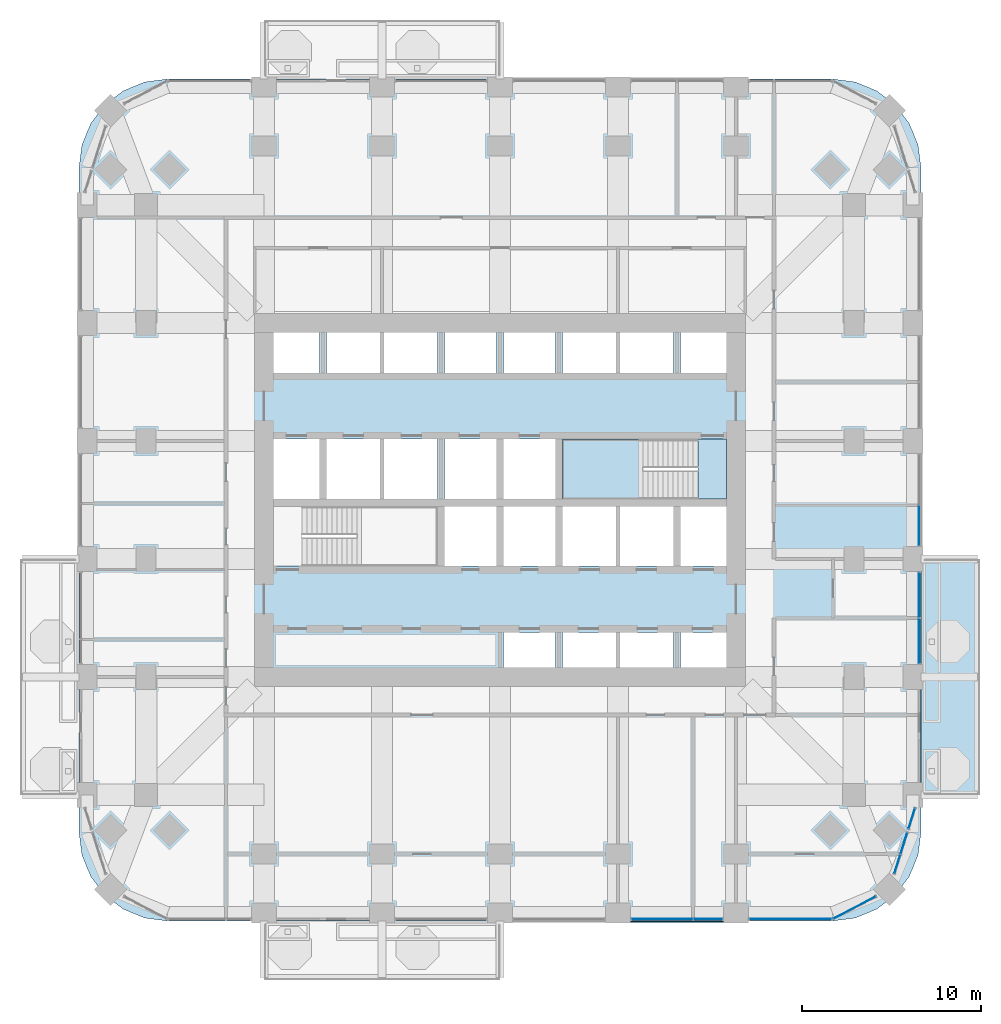
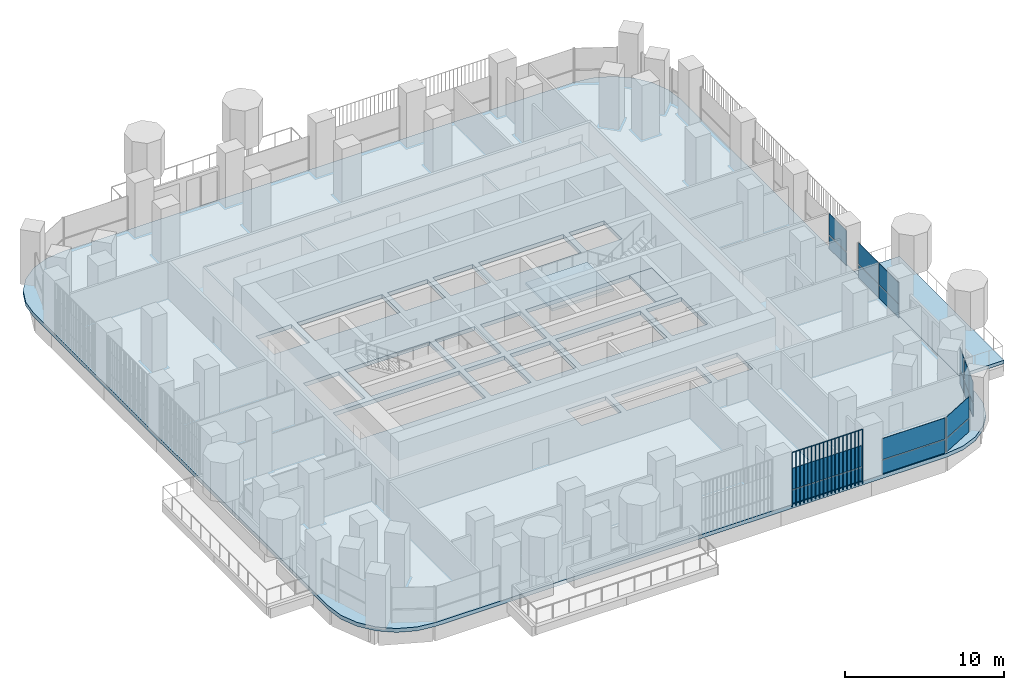
# One storey, part 9 of 21: 21 plates, 4 slabs, 8 elements without a shape of their own.
"""IFC4 building model written with IfcOpenShell, lengths in metres."""

import ifcopenshell
import ifcopenshell.guid

model = None  # the IFC model being written
_history = None  # IfcOwnerHistory: only IFC2X3 demands one
_inside = {}  # id of a spatial element -> (the spatial element, [elements in it])
_under = {}  # id of a project, library or spatial element -> (it, [spatial elements below it])
_declared = {}  # id of a project -> (the project, [libraries it declares])
_typed = {}  # id of a type object -> (the type object, [elements of that type])
_made_of = {}  # id of a material, layer set ... -> (it, [elements and type objects made of it])


def new_model(schema):
    """Start an empty IFC model of exactly this schema.

    Asked for "IFC4X3", IfcOpenShell would pick the latest addendum, in which some entities
    have other attributes; the version numbers below select the first issue.
    IFC2X3 requires an IfcOwnerHistory on every rooted entity: one is made here for all.
    """
    global model, _history
    if schema == "IFC4X3":
        model = ifcopenshell.file(schema_version=(4, 3, 0, 0))
    else:
        model = ifcopenshell.file(schema=schema)
    _inside.clear()
    _under.clear()
    _declared.clear()
    _typed.clear()
    _made_of.clear()
    _history = None
    if model.schema == "IFC2X3":
        org = make("IfcOrganization", Name="unknown")
        user = make(
            "IfcPersonAndOrganization",
            ThePerson=make("IfcPerson", FamilyName="unknown"),
            TheOrganization=org,
        )
        app = make(
            "IfcApplication",
            ApplicationDeveloper=org,
            Version="unknown",
            ApplicationFullName="unknown",
            ApplicationIdentifier="unknown",
        )
        _history = make(
            "IfcOwnerHistory",
            OwningUser=user,
            OwningApplication=app,
            ChangeAction="ADDED",
            CreationDate=0,
        )
    return model


def make(cls, **values):
    """One entity of the class cls with the attributes given. An attribute that is None is left unset."""
    return model.create_entity(
        cls, **{name: value for name, value in values.items() if value is not None}
    )


def rooted(cls, **values):
    """An entity with a GlobalId (a new one), such as an element, a storey or a relation."""
    return make(cls, GlobalId=ifcopenshell.guid.new(), OwnerHistory=_history, **values)


def si_unit(unit_type, name, prefix=None):
    """IfcSIUnit, for example si_unit("LENGTHUNIT", "METRE", prefix="MILLI")."""
    return make("IfcSIUnit", UnitType=unit_type, Prefix=prefix, Name=name)


def assignment(units):
    """IfcUnitAssignment: the units of a project."""
    return None if units is None else make("IfcUnitAssignment", Units=units)


def point(xyz):
    """IfcCartesianPoint."""
    return None if xyz is None else make("IfcCartesianPoint", Coordinates=xyz)


def direction(xyz):
    """IfcDirection."""
    return None if xyz is None else make("IfcDirection", DirectionRatios=xyz)


def frame(location, z_axis=None, x_axis=None):
    """IfcAxis2Placement3D, a coordinate frame: its origin and axes. An axis left out is left unset."""
    return make(
        "IfcAxis2Placement3D",
        Location=point(location),
        Axis=direction(z_axis),
        RefDirection=direction(x_axis),
    )


def frame_2d(location, x_axis=None):
    """IfcAxis2Placement2D, a coordinate frame in the plane: its origin and x axis."""
    return make(
        "IfcAxis2Placement2D", Location=point(location), RefDirection=direction(x_axis)
    )


def origin():
    """The frame at (0, 0, 0) with its axes left unset."""
    return frame((0.0, 0.0, 0.0))


def origin_2d():
    """The frame at (0, 0) in the plane with its x axis left unset."""
    return frame_2d((0.0, 0.0))


def place(relative_to, where):
    """IfcLocalPlacement: puts the frame where relative to a parent placement (None: the world)."""
    return make(
        "IfcLocalPlacement", PlacementRelTo=relative_to, RelativePlacement=where
    )


def context(
    kind, dimensions, precision=None, world=None, true_north=None, identifier=None
):
    """IfcGeometricRepresentationContext, for example the 3D "Model" context."""
    return make(
        "IfcGeometricRepresentationContext",
        ContextIdentifier=identifier,
        ContextType=kind,
        CoordinateSpaceDimension=dimensions,
        Precision=precision,
        WorldCoordinateSystem=world,
        TrueNorth=true_north,
    )


def subcontext(parent, identifier, kind, view, scale=None):
    """IfcGeometricRepresentationSubContext, for example "Body" below "Model"."""
    return make(
        "IfcGeometricRepresentationSubContext",
        ContextIdentifier=identifier,
        ContextType=kind,
        ParentContext=parent,
        TargetScale=scale,
        TargetView=view,
    )


def project(units=None, contexts=None):
    """IfcProject with its units and contexts."""
    return rooted(
        "IfcProject",
        Name="project",
        RepresentationContexts=contexts,
        UnitsInContext=assignment(units),
    )


def spatial(cls, under=None, at=None, **own):
    """A site, building, storey or space (cls), placed at a placement, below another one or the project."""
    s = rooted(cls, ObjectPlacement=at, **own)
    if under is not None:
        _under.setdefault(under.id(), (under, []))[1].append(s)
    return s


def polyline(points):
    """IfcPolyline through the points."""
    return make("IfcPolyline", Points=[point(p) for p in points])


def profile(cls, at=None, kind="AREA", **sizes):
    """A parametric profile (cls). Its sizes go by their IFC names, for example OverallWidth=200.0."""
    return make(cls, ProfileType=kind, Position=at, **sizes)


def rectangle(**sizes):
    """IfcRectangleProfileDef."""
    return profile("IfcRectangleProfileDef", **sizes)


def outline(outer, holes=None, kind="AREA"):
    """IfcArbitraryClosedProfileDef: a profile drawn as a closed curve; with holes, ...WithVoids."""
    if holes is None:
        return make("IfcArbitraryClosedProfileDef", ProfileType=kind, OuterCurve=outer)
    return make(
        "IfcArbitraryProfileDefWithVoids",
        ProfileType=kind,
        OuterCurve=outer,
        InnerCurves=holes,
    )


def extrude(swept, where, along, depth):
    """IfcExtrudedAreaSolid: the profile swept, set in the frame where, extruded along a direction by depth."""
    return make(
        "IfcExtrudedAreaSolid",
        SweptArea=swept,
        Position=where,
        ExtrudedDirection=direction(along),
        Depth=depth,
    )


def shape(context_of_items, identifier, shape_type, items):
    """IfcShapeRepresentation: the items that make up one representation, for example the "Body"."""
    return make(
        "IfcShapeRepresentation",
        ContextOfItems=context_of_items,
        RepresentationIdentifier=identifier,
        RepresentationType=shape_type,
        Items=items,
    )


def material(Name=None, Category=None):
    """IfcMaterial."""
    return make("IfcMaterial", Name=Name, Category=Category)


def layer(
    of_material, thickness, ventilated=None, Name=None, Category=None, Priority=None
):
    """IfcMaterialLayer: one layer of a wall or slab, of a material (None: an air gap)."""
    return make(
        "IfcMaterialLayer",
        Material=of_material,
        LayerThickness=thickness,
        IsVentilated=ventilated,
        Name=Name,
        Category=Category,
        Priority=Priority,
    )


def layer_set(layers, Name=None):
    """IfcMaterialLayerSet."""
    return make("IfcMaterialLayerSet", MaterialLayers=layers, LayerSetName=Name)


def made_of(thing, what):
    """Note that an element or type object is made of a material, layer set ...; save() writes the relation."""
    if what is not None:
        _made_of.setdefault(what.id(), (what, []))[1].append(thing)
    return thing


def type_object(cls, material=None, **own):
    """A type object (cls), such as IfcWallType, which elements share."""
    return made_of(rooted(cls, **own), material)


def element(
    cls,
    number,
    at=None,
    inside=None,
    cuts=None,
    type_object=None,
    material=None,
    context=None,
    identifier="Body",
    shape_type=None,
    held_by="IfcProductDefinitionShape",
    body=None,
    shapes=None,
    **own,
):
    """One element of the class cls, such as IfcWall. Its Tag is "e" and its number.

    at: its placement. inside: the storey or other place that contains it. cuts: it is an
    opening in that element (IfcRelVoidsElement). A single representation is given by context,
    identifier, shape_type and body (its items); several are given by shapes. held_by: the class
    of the entity that holds the representations. save() writes the other relations.
    """
    e = rooted(cls, Tag="e%d" % number, ObjectPlacement=at, **own)
    if body is not None:
        shapes = [shape(context, identifier, shape_type, body)]
    if shapes is not None:
        e.Representation = make(held_by, Representations=shapes)
    if inside is not None:
        _inside.setdefault(inside.id(), (inside, []))[1].append(e)
    if cuts is not None:
        rooted(
            "IfcRelVoidsElement", RelatingBuildingElement=cuts, RelatedOpeningElement=e
        )
    if type_object is not None:
        _typed.setdefault(type_object.id(), (type_object, []))[1].append(e)
    return made_of(e, material)


def aggregate(whole, parts):
    """IfcRelAggregates: a whole, such as a stair, and the parts it consists of."""
    return rooted("IfcRelAggregates", RelatingObject=whole, RelatedObjects=parts)


def save(model, path):
    """Write the relations noted so far, then the file.

    IfcRelAggregates (storeys below a building ...), IfcRelContainedInSpatialStructure (elements
    in a storey), IfcRelDefinesByType, IfcRelAssociatesMaterial and IfcRelDeclares: one each for
    every whole, place, type object, material and project.
    """
    for whole, parts in _under.values():
        aggregate(whole, parts)
    for where, things in _inside.values():
        rooted(
            "IfcRelContainedInSpatialStructure",
            RelatedElements=things,
            RelatingStructure=where,
        )
    for kind, things in _typed.values():
        rooted("IfcRelDefinesByType", RelatedObjects=things, RelatingType=kind)
    for what, things in _made_of.values():
        rooted("IfcRelAssociatesMaterial", RelatedObjects=things, RelatingMaterial=what)
    for by, libraries in _declared.values():
        rooted("IfcRelDeclares", RelatingContext=by, RelatedDefinitions=libraries)
    model.write(path)


model = new_model("IFC4")

# Units and contexts
model_context = context("Model", 3, precision=1e-05, world=origin(), true_north=direction((0.0, 1.0)))
body_context = subcontext(model_context, "Body", "Model", "MODEL_VIEW")
ifc_project = project(units=[si_unit("LENGTHUNIT", "METRE"), si_unit("AREAUNIT", "SQUARE_METRE"), si_unit("VOLUMEUNIT", "CUBIC_METRE"), si_unit("PLANEANGLEUNIT", "RADIAN"), si_unit("MASSUNIT", "GRAM", prefix="KILO")], contexts=[model_context])

# Site, building, storey
site_placement = place(None, origin())
site = spatial("IfcSite", under=ifc_project, at=site_placement, CompositionType="ELEMENT")
building_placement = place(site_placement, origin())
building = spatial("IfcBuilding", under=site, at=building_placement, Name="Cobogo Forest Laboratory Tower", CompositionType="ELEMENT")
storey_placement = place(building_placement, frame((0.0, 0.0, 124.199951171875)))
storey = spatial("IfcBuildingStorey", under=building, at=storey_placement, Name="L28", CompositionType="ELEMENT", Elevation=124.199951171875)

# Slabs
ifc_material_1 = material(Name="Concrete HA-40 (C40/50)", Category="concrete")
ifc_layer_1 = layer(ifc_material_1, 0.25)
ifc_layer_set_1 = layer_set([ifc_layer_1], Name="Balcony slab 250")
slab_type_1 = type_object("IfcSlabType", Name="Balcony slab 250", PredefinedType="FLOOR", material=ifc_layer_set_1)
slab_1_placement = place(storey_placement, frame((0.0, 0.0, -0.25)))
element("IfcSlab", 1, at=slab_1_placement, inside=storey, type_object=slab_type_1, Name="Balcony BAL-E1 L28", PredefinedType="FLOOR", context=body_context, shape_type="SweptSolid", body=[
    extrude(outline(polyline([(49.949951171875, 6.60009765625), (53.25, 6.60009765625), (53.25, 19.800048828125), (49.949951171875, 19.800048828125), (49.949951171875, 6.60009765625)])), origin(), (0.0, 0.0, 1.0), 0.25),
])
ifc_layer_2 = layer(ifc_material_1, 0.300048828125)
ifc_layer_set_2 = layer_set([ifc_layer_2], Name="Floor slab 300")
slab_type_2 = type_object("IfcSlabType", Name="Floor slab 300", PredefinedType="FLOOR", material=ifc_layer_set_2)
slab_2_placement = place(storey_placement, frame((0.0, 0.0, -0.300048828125)))
element("IfcSlab", 2, at=slab_2_placement, inside=storey, type_object=slab_type_2, Name="L28 floor slab", PredefinedType="FLOOR", context=body_context, shape_type="SweptSolid", body=[
    extrude(outline(polyline([(45.0, -0.449951171875), (46.28125, -0.28125), (47.47509765625, 0.213134765625), (48.500244140625, 0.999755859375), (49.286865234375, 2.02490234375), (49.78125, 3.21875), (49.949951171875, 4.5), (49.949951171875, 41.699951171875), (49.78125, 42.981201171875), (49.286865234375, 44.175048828125), (48.500244140625, 45.2001953125), (47.47509765625, 45.98681640625), (46.28125, 46.4814453125), (45.0, 46.64990234375), (7.800048828125, 46.64990234375), (6.518798828125, 46.4814453125), (5.324951171875, 45.98681640625), (4.2998046875, 45.2001953125), (3.51318359375, 44.175048828125), (3.0185546875, 42.981201171875), (2.85009765625, 41.699951171875), (2.85009765625, 4.5), (3.0185546875, 3.21875), (3.51318359375, 2.02490234375), (4.2998046875, 0.999755859375), (5.324951171875, 0.213134765625), (6.518798828125, -0.28125), (7.800048828125, -0.449951171875), (45.0, -0.449951171875)]), holes=[polyline([(29.5, 13.72509765625), (26.60009765625, 13.72509765625), (26.60009765625, 15.699951171875), (29.5, 15.699951171875), (29.5, 13.72509765625)]), polyline([(36.10009765625, 15.699951171875), (36.10009765625, 13.72509765625), (29.89990234375, 13.72509765625), (29.89990234375, 15.699951171875), (36.10009765625, 15.699951171875)]), polyline([(36.5, 13.72509765625), (36.5, 15.699951171875), (39.074951171875, 15.699951171875), (39.074951171875, 13.72509765625), (36.5, 13.72509765625)]), polyline([(13.72509765625, 19.39990234375), (13.72509765625, 22.75), (22.89990234375, 22.75), (22.89990234375, 19.39990234375), (13.72509765625, 19.39990234375)]), polyline([(23.300048828125, 19.39990234375), (23.300048828125, 22.75), (26.199951171875, 22.75), (26.199951171875, 19.39990234375), (23.300048828125, 19.39990234375)]), polyline([(29.5, 19.39990234375), (26.60009765625, 19.39990234375), (26.60009765625, 22.75), (29.5, 22.75), (29.5, 19.39990234375)]), polyline([(36.10009765625, 22.75), (36.10009765625, 19.39990234375), (29.89990234375, 19.39990234375), (29.89990234375, 22.75), (36.10009765625, 22.75)]), polyline([(39.074951171875, 19.39990234375), (36.5, 19.39990234375), (36.5, 22.75), (39.074951171875, 22.75), (39.074951171875, 19.39990234375)]), polyline([(16.300048828125, 23.14990234375), (13.72509765625, 23.14990234375), (13.72509765625, 26.5), (16.300048828125, 26.5), (16.300048828125, 23.14990234375)]), polyline([(22.89990234375, 26.5), (22.89990234375, 23.14990234375), (16.699951171875, 23.14990234375), (16.699951171875, 26.5), (22.89990234375, 26.5)]), polyline([(26.199951171875, 23.14990234375), (23.300048828125, 23.14990234375), (23.300048828125, 26.5), (26.199951171875, 26.5), (26.199951171875, 23.14990234375)]), polyline([(26.60009765625, 23.14990234375), (26.60009765625, 26.5), (29.5, 26.5), (29.5, 23.14990234375), (26.60009765625, 23.14990234375)]), polyline([(29.89990234375, 23.14990234375), (29.89990234375, 26.5), (39.074951171875, 26.5), (39.074951171875, 23.14990234375), (29.89990234375, 23.14990234375)]), polyline([(13.72509765625, 30.199951171875), (13.72509765625, 32.47509765625), (16.300048828125, 32.47509765625), (16.300048828125, 30.199951171875), (13.72509765625, 30.199951171875)]), polyline([(22.89990234375, 32.47509765625), (22.89990234375, 30.199951171875), (16.699951171875, 30.199951171875), (16.699951171875, 32.47509765625), (22.89990234375, 32.47509765625)]), polyline([(23.300048828125, 30.199951171875), (23.300048828125, 32.47509765625), (26.199951171875, 32.47509765625), (26.199951171875, 30.199951171875), (23.300048828125, 30.199951171875)]), polyline([(26.60009765625, 30.199951171875), (26.60009765625, 32.47509765625), (29.5, 32.47509765625), (29.5, 30.199951171875), (26.60009765625, 30.199951171875)]), polyline([(36.10009765625, 32.47509765625), (36.10009765625, 30.199951171875), (29.89990234375, 30.199951171875), (29.89990234375, 32.47509765625), (36.10009765625, 32.47509765625)]), polyline([(36.5, 30.199951171875), (36.5, 32.47509765625), (39.074951171875, 32.47509765625), (39.074951171875, 30.199951171875), (36.5, 30.199951171875)])]), origin(), (0.0, 0.0, 1.0), 0.300048828125),
])

# Curtain wall, plates
ifc_material_2 = material(Name="Aluminium curtain wall", Category="aluminium")
curtain_wall_type = type_object("IfcCurtainWallType", Name="CW-1 unitised curtain wall, clear glazing, laboratory floors zones A and B", PredefinedType="USERDEFINED", material=ifc_material_2)
curtain_wall_1_placement = place(storey_placement, origin())
curtain_wall_1 = element("IfcCurtainWall", 3, at=curtain_wall_1_placement, inside=storey, type_object=curtain_wall_type, Name="Curtain wall 05 L28", ObjectType="UNITISED CURTAIN WALL", PredefinedType="USERDEFINED")
ifc_material_3 = material(Name="Clear insulated glass", Category="glass")
ifc_layer_3 = layer(ifc_material_3, 0.028076171875)
ifc_layer_set_3 = layer_set([ifc_layer_3], Name="GP-1 clear insulated glass unit 28")
plate_type_1 = type_object("IfcPlateType", Name="GP-1 clear insulated glass unit 28", PredefinedType="CURTAIN_PANEL", material=ifc_layer_set_3)
plate_1_placement = place(storey_placement, frame((35.465087890625, -0.35009765625, 0.0), z_axis=(0.0, 0.0, 1.0), x_axis=(1.0, 0.0, 0.0)))
plate_1 = element("IfcPlate", 4, at=plate_1_placement, type_object=plate_type_1, Name="CW-1 panel 1.1", PredefinedType="CURTAIN_PANEL", context=body_context, shape_type="SweptSolid", body=[
    extrude(rectangle(XDim=3.409912109375, YDim=0.028076171875, at=origin_2d()), origin(), (0.0, 0.0, 1.0), 1.02001953125),
])
plate_2_placement = place(storey_placement, frame((35.465087890625, -0.35009765625, 1.080078125), z_axis=(0.0, 0.0, 1.0), x_axis=(1.0, 0.0, 0.0)))
plate_2 = element("IfcPlate", 5, at=plate_2_placement, type_object=plate_type_1, Name="CW-1 panel 1.2", PredefinedType="CURTAIN_PANEL", context=body_context, shape_type="SweptSolid", body=[
    extrude(rectangle(XDim=3.409912109375, YDim=0.028076171875, at=origin_2d()), origin(), (0.0, 0.0, 1.0), 1.6201171875),
])
plate_3_placement = place(storey_placement, frame((38.034912109375, -0.35009765625, 0.0), z_axis=(0.0, 0.0, 1.0), x_axis=(1.0, 0.0, 0.0)))
plate_3 = element("IfcPlate", 6, at=plate_3_placement, type_object=plate_type_1, Name="CW-1 panel 2.1", PredefinedType="CURTAIN_PANEL", context=body_context, shape_type="SweptSolid", body=[
    extrude(rectangle(XDim=1.610107421875, YDim=0.028076171875, at=origin_2d()), origin(), (0.0, 0.0, 1.0), 1.02001953125),
])
plate_4_placement = place(storey_placement, frame((38.034912109375, -0.35009765625, 1.080078125), z_axis=(0.0, 0.0, 1.0), x_axis=(1.0, 0.0, 0.0)))
plate_4 = element("IfcPlate", 7, at=plate_4_placement, type_object=plate_type_1, Name="CW-1 panel 2.2", PredefinedType="CURTAIN_PANEL", context=body_context, shape_type="SweptSolid", body=[
    extrude(rectangle(XDim=1.610107421875, YDim=0.028076171875, at=origin_2d()), origin(), (0.0, 0.0, 1.0), 1.6201171875),
])
aggregate(curtain_wall_1, [plate_1, plate_2, plate_3, plate_4])

curtain_wall_2_placement = place(storey_placement, origin())
curtain_wall_2 = element("IfcCurtainWall", 8, at=curtain_wall_2_placement, inside=storey, type_object=curtain_wall_type, Name="Curtain wall 06 L28", ObjectType="UNITISED CURTAIN WALL", PredefinedType="USERDEFINED")
plate_5_placement = place(storey_placement, frame((42.64990234375, -0.35009765625, 0.0), z_axis=(0.0, 0.0, 1.0), x_axis=(1.0, 0.0, 0.0)))
plate_5 = element("IfcPlate", 9, at=plate_5_placement, type_object=plate_type_1, Name="CW-1 panel 1.1", PredefinedType="CURTAIN_PANEL", context=body_context, shape_type="SweptSolid", body=[
    extrude(rectangle(XDim=4.580078125, YDim=0.028076171875, at=origin_2d()), origin(), (0.0, 0.0, 1.0), 1.02001953125),
])
plate_6_placement = place(storey_placement, frame((42.64990234375, -0.35009765625, 1.080078125), z_axis=(0.0, 0.0, 1.0), x_axis=(1.0, 0.0, 0.0)))
plate_6 = element("IfcPlate", 10, at=plate_6_placement, type_object=plate_type_1, Name="CW-1 panel 1.2", PredefinedType="CURTAIN_PANEL", context=body_context, shape_type="SweptSolid", body=[
    extrude(rectangle(XDim=4.580078125, YDim=0.028076171875, at=origin_2d()), origin(), (0.0, 0.0, 1.0), 1.6201171875),
])
aggregate(curtain_wall_2, [plate_5, plate_6])

curtain_wall_3_placement = place(storey_placement, origin())
curtain_wall_3 = element("IfcCurtainWall", 11, at=curtain_wall_3_placement, inside=storey, type_object=curtain_wall_type, Name="Curtain wall 07 L28", ObjectType="UNITISED CURTAIN WALL", PredefinedType="USERDEFINED")
plate_7_placement = place(storey_placement, frame((46.229248046875, 0.29443359375, 0.0), z_axis=(0.0, 0.0, 1.0), x_axis=(0.885686547075, 0.464283685186, 0.0)))
plate_7 = element("IfcPlate", 12, at=plate_7_placement, type_object=plate_type_1, Name="CW-1 panel 1.1", PredefinedType="CURTAIN_PANEL", context=body_context, shape_type="SweptSolid", body=[
    extrude(rectangle(XDim=2.655517578125, YDim=0.028076171875, at=origin_2d()), origin(), (0.0, 0.0, 1.0), 1.02001953125),
])
plate_8_placement = place(storey_placement, frame((46.229248046875, 0.29443359375, 1.080078125), z_axis=(0.0, 0.0, 1.0), x_axis=(0.885686547075, 0.464283685186, 0.0)))
plate_8 = element("IfcPlate", 13, at=plate_8_placement, type_object=plate_type_1, Name="CW-1 panel 1.2", PredefinedType="CURTAIN_PANEL", context=body_context, shape_type="SweptSolid", body=[
    extrude(rectangle(XDim=2.655517578125, YDim=0.028076171875, at=origin_2d()), origin(), (0.0, 0.0, 1.0), 1.6201171875),
])
aggregate(curtain_wall_3, [plate_7, plate_8])

curtain_wall_4_placement = place(storey_placement, origin())
curtain_wall_4 = element("IfcCurtainWall", 14, at=curtain_wall_4_placement, inside=storey, type_object=curtain_wall_type, Name="Curtain wall 08 L28", ObjectType="UNITISED CURTAIN WALL", PredefinedType="USERDEFINED")
plate_9_placement = place(storey_placement, frame((48.6279296875, 2.73046875, 0.0), z_axis=(0.0, 0.0, 1.0), x_axis=(0.301135291996, 0.953581425949, 0.0)))
plate_9 = element("IfcPlate", 15, at=plate_9_placement, type_object=plate_type_1, Name="CW-1 panel 1.1", PredefinedType="CURTAIN_PANEL", context=body_context, shape_type="SweptSolid", body=[
    extrude(rectangle(XDim=1.083984375, YDim=0.028076171875, at=origin_2d()), origin(), (0.0, 0.0, 1.0), 1.02001953125),
])
plate_10_placement = place(storey_placement, frame((48.6279296875, 2.73046875, 1.080078125), z_axis=(0.0, 0.0, 1.0), x_axis=(0.301135291996, 0.953581425949, 0.0)))
plate_10 = element("IfcPlate", 16, at=plate_10_placement, type_object=plate_type_1, Name="CW-1 panel 1.2", PredefinedType="CURTAIN_PANEL", context=body_context, shape_type="SweptSolid", body=[
    extrude(rectangle(XDim=1.083984375, YDim=0.028076171875, at=origin_2d()), origin(), (0.0, 0.0, 1.0), 1.6201171875),
])
plate_11_placement = place(storey_placement, frame((48.99365234375, 3.88818359375, 0.0), z_axis=(0.0, 0.0, 1.0), x_axis=(0.301135291996, 0.953581425949, 0.0)))
plate_11 = element("IfcPlate", 17, at=plate_11_placement, type_object=plate_type_1, Name="CW-1 panel 2.1", PredefinedType="CURTAIN_PANEL", context=body_context, shape_type="SweptSolid", body=[
    extrude(rectangle(XDim=1.223876953125, YDim=0.028076171875, at=origin_2d()), origin(), (0.0, 0.0, 1.0), 1.02001953125),
])
plate_12_placement = place(storey_placement, frame((48.99365234375, 3.88818359375, 1.080078125), z_axis=(0.0, 0.0, 1.0), x_axis=(0.301135291996, 0.953581425949, 0.0)))
plate_12 = element("IfcPlate", 18, at=plate_12_placement, type_object=plate_type_1, Name="CW-1 panel 2.2", PredefinedType="CURTAIN_PANEL", context=body_context, shape_type="SweptSolid", body=[
    extrude(rectangle(XDim=1.223876953125, YDim=0.028076171875, at=origin_2d()), origin(), (0.0, 0.0, 1.0), 1.6201171875),
])
aggregate(curtain_wall_4, [plate_9, plate_10, plate_11, plate_12])

curtain_wall_5_placement = place(storey_placement, origin())
curtain_wall_5 = element("IfcCurtainWall", 19, at=curtain_wall_5_placement, inside=storey, type_object=curtain_wall_type, Name="Curtain wall 09 L28", ObjectType="UNITISED CURTAIN WALL", PredefinedType="USERDEFINED")
plate_13_placement = place(storey_placement, frame((49.433837890625, 5.2822265625, 0.0), z_axis=(0.0, 0.0, 1.0), x_axis=(0.301135356805, 0.953581405483, 0.0)))
plate_13 = element("IfcPlate", 20, at=plate_13_placement, type_object=plate_type_1, Name="CW-1 panel 1.1", PredefinedType="CURTAIN_PANEL", context=body_context, shape_type="SweptSolid", body=[
    extrude(rectangle(XDim=1.17578125, YDim=0.028076171875, at=origin_2d()), origin(), (0.0, 0.0, 1.0), 1.02001953125),
])
plate_14_placement = place(storey_placement, frame((49.433837890625, 5.2822265625, 1.080078125), z_axis=(0.0, 0.0, 1.0), x_axis=(0.301135356805, 0.953581405483, 0.0)))
plate_14 = element("IfcPlate", 21, at=plate_14_placement, type_object=plate_type_1, Name="CW-1 panel 1.2", PredefinedType="CURTAIN_PANEL", context=body_context, shape_type="SweptSolid", body=[
    extrude(rectangle(XDim=1.17578125, YDim=0.028076171875, at=origin_2d()), origin(), (0.0, 0.0, 1.0), 1.6201171875),
])
aggregate(curtain_wall_5, [plate_13, plate_14])

curtain_wall_6_placement = place(storey_placement, origin())
curtain_wall_6 = element("IfcCurtainWall", 22, at=curtain_wall_6_placement, inside=storey, type_object=curtain_wall_type, Name="Curtain wall 11 L28", ObjectType="UNITISED CURTAIN WALL", PredefinedType="USERDEFINED")
plate_15_placement = place(storey_placement, frame((49.85009765625, 15.215087890625, 0.0), z_axis=(0.0, 0.0, 1.0), x_axis=(0.0, 1.0, 0.0)))
plate_15 = element("IfcPlate", 23, at=plate_15_placement, type_object=plate_type_1, Name="CW-1 panel 1.1", PredefinedType="CURTAIN_PANEL", context=body_context, shape_type="SweptSolid", body=[
    extrude(rectangle(XDim=2.510009765625, YDim=0.028076171875, at=origin_2d()), origin(), (0.0, 0.0, 1.0), 1.02001953125),
])
plate_16_placement = place(storey_placement, frame((49.85009765625, 15.215087890625, 1.080078125), z_axis=(0.0, 0.0, 1.0), x_axis=(0.0, 1.0, 0.0)))
plate_16 = element("IfcPlate", 24, at=plate_16_placement, type_object=plate_type_1, Name="CW-1 panel 1.2", PredefinedType="CURTAIN_PANEL", context=body_context, shape_type="SweptSolid", body=[
    extrude(rectangle(XDim=2.510009765625, YDim=0.028076171875, at=origin_2d()), origin(), (0.0, 0.0, 1.0), 1.6201171875),
])
plate_17_placement = place(storey_placement, frame((49.85009765625, 17.784912109375, 0.0), z_axis=(0.0, 0.0, 1.0), x_axis=(0.0, 1.0, 0.0)))
plate_17 = element("IfcPlate", 25, at=plate_17_placement, type_object=plate_type_1, Name="CW-1 panel 2.1", PredefinedType="CURTAIN_PANEL", context=body_context, shape_type="SweptSolid", body=[
    extrude(rectangle(XDim=2.510009765625, YDim=0.028076171875, at=origin_2d()), origin(), (0.0, 0.0, 1.0), 1.02001953125),
])
plate_18_placement = place(storey_placement, frame((49.85009765625, 17.784912109375, 1.080078125), z_axis=(0.0, 0.0, 1.0), x_axis=(0.0, 1.0, 0.0)))
plate_18 = element("IfcPlate", 26, at=plate_18_placement, type_object=plate_type_1, Name="CW-1 panel 2.2", PredefinedType="CURTAIN_PANEL", context=body_context, shape_type="SweptSolid", body=[
    extrude(rectangle(XDim=2.510009765625, YDim=0.028076171875, at=origin_2d()), origin(), (0.0, 0.0, 1.0), 1.6201171875),
])
aggregate(curtain_wall_6, [plate_15, plate_16, plate_17, plate_18])

curtain_wall_7_placement = place(storey_placement, origin())
curtain_wall_7 = element("IfcCurtainWall", 27, at=curtain_wall_7_placement, inside=storey, type_object=curtain_wall_type, Name="Curtain wall 12 L28", ObjectType="UNITISED CURTAIN WALL", PredefinedType="USERDEFINED")
plate_19_placement = place(storey_placement, frame((49.85009765625, 21.6650390625, 0.0), z_axis=(0.0, 0.0, 1.0), x_axis=(0.0, 1.0, 0.0)))
plate_19 = element("IfcPlate", 28, at=plate_19_placement, type_object=plate_type_1, Name="CW-1 panel 1.1", PredefinedType="CURTAIN_PANEL", context=body_context, shape_type="SweptSolid", body=[
    extrude(rectangle(XDim=2.2099609375, YDim=0.028076171875, at=origin_2d()), origin(), (0.0, 0.0, 1.0), 1.02001953125),
])
plate_20_placement = place(storey_placement, frame((49.85009765625, 21.6650390625, 1.080078125), z_axis=(0.0, 0.0, 1.0), x_axis=(0.0, 1.0, 0.0)))
plate_20 = element("IfcPlate", 29, at=plate_20_placement, type_object=plate_type_1, Name="CW-1 panel 1.2", PredefinedType="CURTAIN_PANEL", context=body_context, shape_type="SweptSolid", body=[
    extrude(rectangle(XDim=2.2099609375, YDim=0.028076171875, at=origin_2d()), origin(), (0.0, 0.0, 1.0), 1.6201171875),
])
aggregate(curtain_wall_7, [plate_19, plate_20])

# Stair, slabs
ifc_material_4 = material(Name="Precast concrete HA-40 (C40/50)", Category="concrete")
stair_type = type_object("IfcStairType", Name="ST24 exit stair 24 risers", PredefinedType="HALF_TURN_STAIR", material=ifc_material_4)
stair_placement = place(storey_placement, origin())
stair = element("IfcStair", 30, at=stair_placement, inside=storey, type_object=stair_type, Name="Stair 2 L28 to L29", PredefinedType="HALF_TURN_STAIR")
ifc_layer_4 = layer(ifc_material_1, 0.199951171875)
ifc_layer_set_4 = layer_set([ifc_layer_4], Name="SL stair landing 200")
slab_type_3 = type_object("IfcSlabType", Name="SL stair landing 200", PredefinedType="LANDING", material=ifc_layer_set_4)
slab_3_placement = place(storey_placement, frame((0.0, 0.0, -0.199951171875)))
slab_3 = element("IfcSlab", 31, at=slab_3_placement, type_object=slab_type_3, Name="ST2 landing 1", PredefinedType="LANDING", context=body_context, shape_type="SweptSolid", body=[
    extrude(outline(polyline([(37.472900390625, 23.14990234375), (39.074951171875, 23.14990234375), (39.074951171875, 26.5), (37.472900390625, 26.5), (37.472900390625, 23.14990234375)])), origin(), (0.0, 0.0, 1.0), 0.199951171875),
])
slab_4_placement = place(storey_placement, frame((0.0, 0.0, 1.900146484375)))
slab_4 = element("IfcSlab", 32, at=slab_4_placement, type_object=slab_type_3, Name="ST2 landing 2", PredefinedType="LANDING", context=body_context, shape_type="SweptSolid", body=[
    extrude(outline(polyline([(29.89990234375, 23.14990234375), (34.39697265625, 23.14990234375), (34.39697265625, 26.5), (29.89990234375, 26.5), (29.89990234375, 23.14990234375)])), origin(), (0.0, 0.0, 1.0), 0.199951171875),
])
aggregate(stair, [slab_3, slab_4])

# Plate
ifc_material_5 = material(Name="Terracotta", Category="masonry")
plate_type_2 = type_object("IfcPlateType", Name="TB1 terracotta baguette screen", PredefinedType="USERDEFINED", material=ifc_material_5)
plate_21_placement = place(storey_placement, frame((33.731201171875, -0.477783203125, -0.14990234375)))
element("IfcPlate", 33, at=plate_21_placement, inside=storey, type_object=plate_type_2, Name="Baguette screen S4 L28", ObjectType="BAGUETTE SCREEN", PredefinedType="USERDEFINED", context=body_context, shape_type="SweptSolid", body=[
    extrude(outline(polyline([(0.02880859375, 0.011962890625), (0.011962890625, 0.02880859375), (-0.011962890625, 0.02880859375), (-0.02880859375, 0.011962890625), (-0.02880859375, -0.011962890625), (-0.011962890625, -0.02880859375), (0.011962890625, -0.02880859375), (0.02880859375, -0.011962890625), (0.02880859375, 0.011962890625)])), frame((0.0, 0.0, 4.168701171875), z_axis=(1.0, 0.0, 0.0), x_axis=(0.0, 1.0, 0.0)), (0.0, 0.0, 1.0), 5.137451171875),
    extrude(outline(polyline([(0.02880859375, 0.011962890625), (0.011962890625, 0.02880859375), (-0.011962890625, 0.02880859375), (-0.02880859375, 0.011962890625), (-0.02880859375, -0.011962890625), (-0.011962890625, -0.02880859375), (0.011962890625, -0.02880859375), (0.02880859375, -0.011962890625), (0.02880859375, 0.011962890625)])), origin(), (0.0, 0.0, 1.0), 4.137451171875),
    extrude(outline(polyline([(0.02880859375, 0.011962890625), (0.011962890625, 0.02880859375), (-0.011962890625, 0.02880859375), (-0.02880859375, 0.011962890625), (-0.02880859375, -0.011962890625), (-0.011962890625, -0.02880859375), (0.011962890625, -0.02880859375), (0.02880859375, -0.011962890625), (0.02880859375, 0.011962890625)])), frame((0.285400390625, 0.0, 0.0)), (0.0, 0.0, 1.0), 4.137451171875),
    extrude(outline(polyline([(0.02880859375, 0.011962890625), (0.011962890625, 0.02880859375), (-0.011962890625, 0.02880859375), (-0.02880859375, 0.011962890625), (-0.02880859375, -0.011962890625), (-0.011962890625, -0.02880859375), (0.011962890625, -0.02880859375), (0.02880859375, -0.011962890625), (0.02880859375, 0.011962890625)])), frame((0.57080078125, 0.0, 0.0)), (0.0, 0.0, 1.0), 4.137451171875),
    extrude(outline(polyline([(0.02880859375, 0.011962890625), (0.011962890625, 0.02880859375), (-0.011962890625, 0.02880859375), (-0.02880859375, 0.011962890625), (-0.02880859375, -0.011962890625), (-0.011962890625, -0.02880859375), (0.011962890625, -0.02880859375), (0.02880859375, -0.011962890625), (0.02880859375, 0.011962890625)])), frame((0.856201171875, 0.0, 0.0)), (0.0, 0.0, 1.0), 4.137451171875),
    extrude(outline(polyline([(0.02880859375, 0.011962890625), (0.011962890625, 0.02880859375), (-0.011962890625, 0.02880859375), (-0.02880859375, 0.011962890625), (-0.02880859375, -0.011962890625), (-0.011962890625, -0.02880859375), (0.011962890625, -0.02880859375), (0.02880859375, -0.011962890625), (0.02880859375, 0.011962890625)])), frame((1.1416015625, 0.0, 0.0)), (0.0, 0.0, 1.0), 4.137451171875),
    extrude(outline(polyline([(0.02880859375, 0.011962890625), (0.011962890625, 0.02880859375), (-0.011962890625, 0.02880859375), (-0.02880859375, 0.011962890625), (-0.02880859375, -0.011962890625), (-0.011962890625, -0.02880859375), (0.011962890625, -0.02880859375), (0.02880859375, -0.011962890625), (0.02880859375, 0.011962890625)])), frame((1.427001953125, 0.0, 0.0)), (0.0, 0.0, 1.0), 4.137451171875),
    extrude(outline(polyline([(0.02880859375, 0.011962890625), (0.011962890625, 0.02880859375), (-0.011962890625, 0.02880859375), (-0.02880859375, 0.011962890625), (-0.02880859375, -0.011962890625), (-0.011962890625, -0.02880859375), (0.011962890625, -0.02880859375), (0.02880859375, -0.011962890625), (0.02880859375, 0.011962890625)])), frame((1.71240234375, 0.0, 0.0)), (0.0, 0.0, 1.0), 4.137451171875),
    extrude(outline(polyline([(0.02880859375, 0.011962890625), (0.011962890625, 0.02880859375), (-0.011962890625, 0.02880859375), (-0.02880859375, 0.011962890625), (-0.02880859375, -0.011962890625), (-0.011962890625, -0.02880859375), (0.011962890625, -0.02880859375), (0.02880859375, -0.011962890625), (0.02880859375, 0.011962890625)])), frame((1.997802734375, 0.0, 0.0)), (0.0, 0.0, 1.0), 4.137451171875),
    extrude(outline(polyline([(0.02880859375, 0.011962890625), (0.011962890625, 0.02880859375), (-0.011962890625, 0.02880859375), (-0.02880859375, 0.011962890625), (-0.02880859375, -0.011962890625), (-0.011962890625, -0.02880859375), (0.011962890625, -0.02880859375), (0.02880859375, -0.011962890625), (0.02880859375, 0.011962890625)])), frame((2.283203125, 0.0, 0.0)), (0.0, 0.0, 1.0), 4.137451171875),
    extrude(outline(polyline([(0.02880859375, 0.011962890625), (0.011962890625, 0.02880859375), (-0.011962890625, 0.02880859375), (-0.02880859375, 0.011962890625), (-0.02880859375, -0.011962890625), (-0.011962890625, -0.02880859375), (0.011962890625, -0.02880859375), (0.02880859375, -0.011962890625), (0.02880859375, 0.011962890625)])), frame((2.56884765625, 0.0, 0.0)), (0.0, 0.0, 1.0), 4.137451171875),
    extrude(outline(polyline([(0.02880859375, 0.011962890625), (0.011962890625, 0.02880859375), (-0.011962890625, 0.02880859375), (-0.02880859375, 0.011962890625), (-0.02880859375, -0.011962890625), (-0.011962890625, -0.02880859375), (0.011962890625, -0.02880859375), (0.02880859375, -0.011962890625), (0.02880859375, 0.011962890625)])), frame((2.854248046875, 0.0, 0.0)), (0.0, 0.0, 1.0), 4.137451171875),
    extrude(outline(polyline([(0.02880859375, 0.011962890625), (0.011962890625, 0.02880859375), (-0.011962890625, 0.02880859375), (-0.02880859375, 0.011962890625), (-0.02880859375, -0.011962890625), (-0.011962890625, -0.02880859375), (0.011962890625, -0.02880859375), (0.02880859375, -0.011962890625), (0.02880859375, 0.011962890625)])), frame((3.1396484375, 0.0, 0.0)), (0.0, 0.0, 1.0), 4.137451171875),
    extrude(outline(polyline([(0.02880859375, 0.011962890625), (0.011962890625, 0.02880859375), (-0.011962890625, 0.02880859375), (-0.02880859375, 0.011962890625), (-0.02880859375, -0.011962890625), (-0.011962890625, -0.02880859375), (0.011962890625, -0.02880859375), (0.02880859375, -0.011962890625), (0.02880859375, 0.011962890625)])), frame((3.425048828125, 0.0, 0.0)), (0.0, 0.0, 1.0), 4.137451171875),
    extrude(outline(polyline([(0.02880859375, 0.011962890625), (0.011962890625, 0.02880859375), (-0.011962890625, 0.02880859375), (-0.02880859375, 0.011962890625), (-0.02880859375, -0.011962890625), (-0.011962890625, -0.02880859375), (0.011962890625, -0.02880859375), (0.02880859375, -0.011962890625), (0.02880859375, 0.011962890625)])), frame((3.71044921875, 0.0, 0.0)), (0.0, 0.0, 1.0), 4.137451171875),
    extrude(outline(polyline([(0.02880859375, 0.011962890625), (0.011962890625, 0.02880859375), (-0.011962890625, 0.02880859375), (-0.02880859375, 0.011962890625), (-0.02880859375, -0.011962890625), (-0.011962890625, -0.02880859375), (0.011962890625, -0.02880859375), (0.02880859375, -0.011962890625), (0.02880859375, 0.011962890625)])), frame((3.995849609375, 0.0, 0.0)), (0.0, 0.0, 1.0), 4.137451171875),
    extrude(outline(polyline([(0.02880859375, 0.011962890625), (0.011962890625, 0.02880859375), (-0.011962890625, 0.02880859375), (-0.02880859375, 0.011962890625), (-0.02880859375, -0.011962890625), (-0.011962890625, -0.02880859375), (0.011962890625, -0.02880859375), (0.02880859375, -0.011962890625), (0.02880859375, 0.011962890625)])), frame((4.28125, 0.0, 0.0)), (0.0, 0.0, 1.0), 4.137451171875),
    extrude(outline(polyline([(0.02880859375, 0.011962890625), (0.011962890625, 0.02880859375), (-0.011962890625, 0.02880859375), (-0.02880859375, 0.011962890625), (-0.02880859375, -0.011962890625), (-0.011962890625, -0.02880859375), (0.011962890625, -0.02880859375), (0.02880859375, -0.011962890625), (0.02880859375, 0.011962890625)])), frame((4.566650390625, 0.0, 0.0)), (0.0, 0.0, 1.0), 4.137451171875),
    extrude(outline(polyline([(0.02880859375, 0.011962890625), (0.011962890625, 0.02880859375), (-0.011962890625, 0.02880859375), (-0.02880859375, 0.011962890625), (-0.02880859375, -0.011962890625), (-0.011962890625, -0.02880859375), (0.011962890625, -0.02880859375), (0.02880859375, -0.011962890625), (0.02880859375, 0.011962890625)])), frame((4.85205078125, 0.0, 0.0)), (0.0, 0.0, 1.0), 4.137451171875),
    extrude(outline(polyline([(0.02880859375, 0.011962890625), (0.011962890625, 0.02880859375), (-0.011962890625, 0.02880859375), (-0.02880859375, 0.011962890625), (-0.02880859375, -0.011962890625), (-0.011962890625, -0.02880859375), (0.011962890625, -0.02880859375), (0.02880859375, -0.011962890625), (0.02880859375, 0.011962890625)])), frame((5.137451171875, 0.0, 0.0)), (0.0, 0.0, 1.0), 4.137451171875),
])

save(model, "model.ifc")
